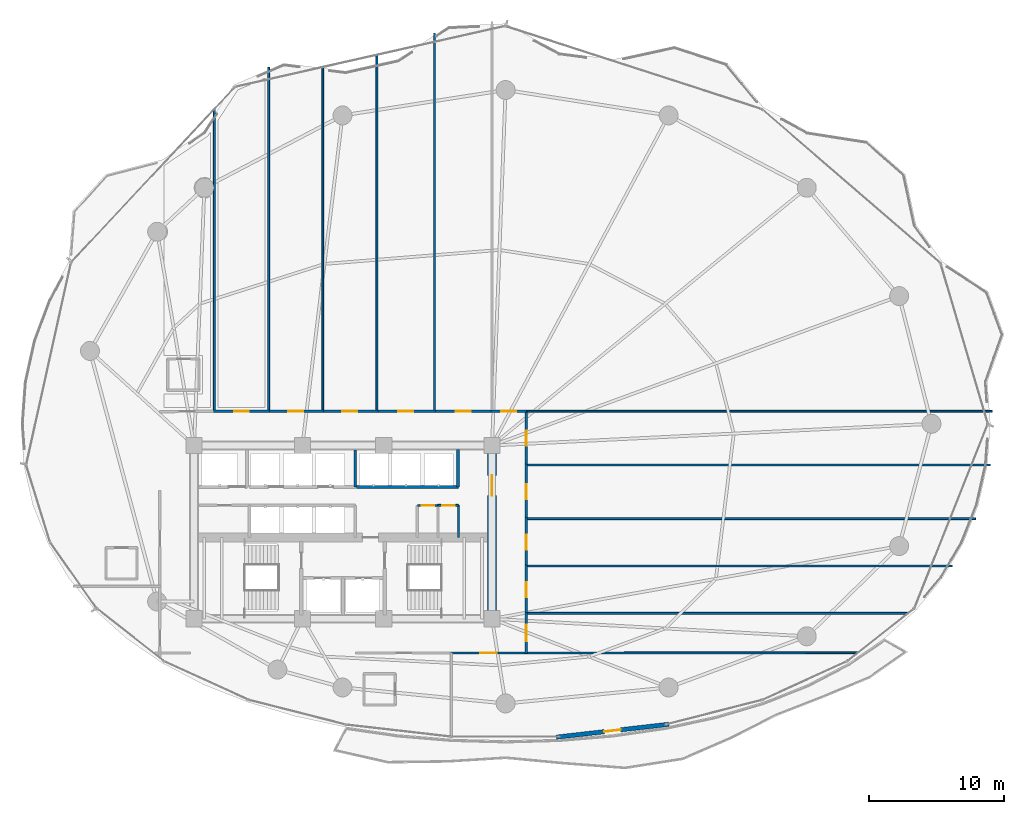
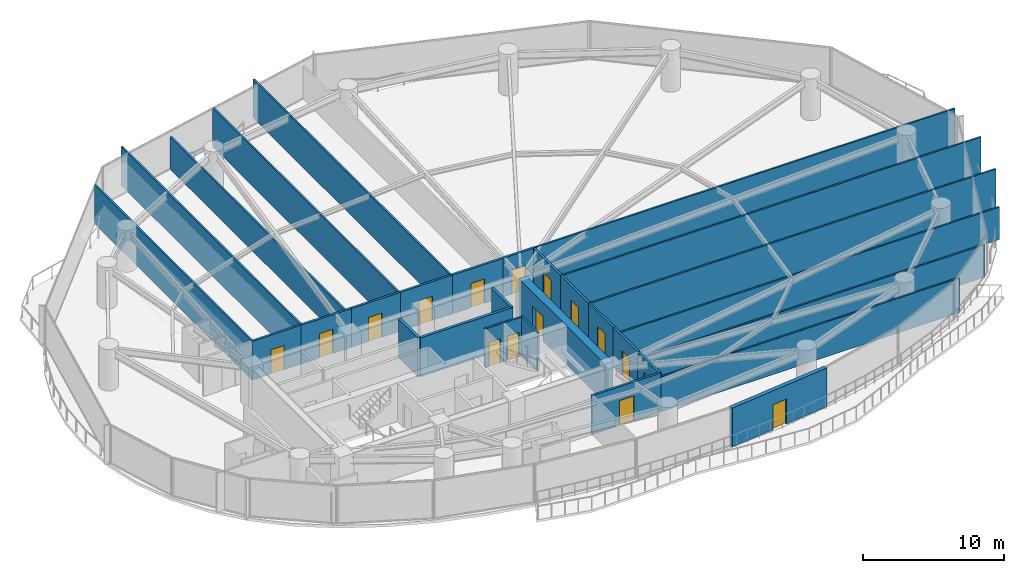
# One storey, part 27 of 33: 31 walls, 16 doors, 16 openings.
"""IFC4 building model written with IfcOpenShell, lengths in metres."""

import ifcopenshell
import ifcopenshell.guid

model = None  # the IFC model being written
_history = None  # IfcOwnerHistory: only IFC2X3 demands one
_inside = {}  # id of a spatial element -> (the spatial element, [elements in it])
_under = {}  # id of a project, library or spatial element -> (it, [spatial elements below it])
_declared = {}  # id of a project -> (the project, [libraries it declares])
_typed = {}  # id of a type object -> (the type object, [elements of that type])
_made_of = {}  # id of a material, layer set ... -> (it, [elements and type objects made of it])


def new_model(schema):
    """Start an empty IFC model of exactly this schema.

    Asked for "IFC4X3", IfcOpenShell would pick the latest addendum, in which some entities
    have other attributes; the version numbers below select the first issue.
    IFC2X3 requires an IfcOwnerHistory on every rooted entity: one is made here for all.
    """
    global model, _history
    if schema == "IFC4X3":
        model = ifcopenshell.file(schema_version=(4, 3, 0, 0))
    else:
        model = ifcopenshell.file(schema=schema)
    _inside.clear()
    _under.clear()
    _declared.clear()
    _typed.clear()
    _made_of.clear()
    _history = None
    if model.schema == "IFC2X3":
        org = make("IfcOrganization", Name="unknown")
        user = make(
            "IfcPersonAndOrganization",
            ThePerson=make("IfcPerson", FamilyName="unknown"),
            TheOrganization=org,
        )
        app = make(
            "IfcApplication",
            ApplicationDeveloper=org,
            Version="unknown",
            ApplicationFullName="unknown",
            ApplicationIdentifier="unknown",
        )
        _history = make(
            "IfcOwnerHistory",
            OwningUser=user,
            OwningApplication=app,
            ChangeAction="ADDED",
            CreationDate=0,
        )
    return model


def make(cls, **values):
    """One entity of the class cls with the attributes given. An attribute that is None is left unset."""
    return model.create_entity(
        cls, **{name: value for name, value in values.items() if value is not None}
    )


def rooted(cls, **values):
    """An entity with a GlobalId (a new one), such as an element, a storey or a relation."""
    return make(cls, GlobalId=ifcopenshell.guid.new(), OwnerHistory=_history, **values)


def si_unit(unit_type, name, prefix=None):
    """IfcSIUnit, for example si_unit("LENGTHUNIT", "METRE", prefix="MILLI")."""
    return make("IfcSIUnit", UnitType=unit_type, Prefix=prefix, Name=name)


def assignment(units):
    """IfcUnitAssignment: the units of a project."""
    return None if units is None else make("IfcUnitAssignment", Units=units)


def point(xyz):
    """IfcCartesianPoint."""
    return None if xyz is None else make("IfcCartesianPoint", Coordinates=xyz)


def direction(xyz):
    """IfcDirection."""
    return None if xyz is None else make("IfcDirection", DirectionRatios=xyz)


def frame(location, z_axis=None, x_axis=None):
    """IfcAxis2Placement3D, a coordinate frame: its origin and axes. An axis left out is left unset."""
    return make(
        "IfcAxis2Placement3D",
        Location=point(location),
        Axis=direction(z_axis),
        RefDirection=direction(x_axis),
    )


def frame_2d(location, x_axis=None):
    """IfcAxis2Placement2D, a coordinate frame in the plane: its origin and x axis."""
    return make(
        "IfcAxis2Placement2D", Location=point(location), RefDirection=direction(x_axis)
    )


def origin():
    """The frame at (0, 0, 0) with its axes left unset."""
    return frame((0.0, 0.0, 0.0))


def place(relative_to, where):
    """IfcLocalPlacement: puts the frame where relative to a parent placement (None: the world)."""
    return make(
        "IfcLocalPlacement", PlacementRelTo=relative_to, RelativePlacement=where
    )


def context(
    kind, dimensions, precision=None, world=None, true_north=None, identifier=None
):
    """IfcGeometricRepresentationContext, for example the 3D "Model" context."""
    return make(
        "IfcGeometricRepresentationContext",
        ContextIdentifier=identifier,
        ContextType=kind,
        CoordinateSpaceDimension=dimensions,
        Precision=precision,
        WorldCoordinateSystem=world,
        TrueNorth=true_north,
    )


def subcontext(parent, identifier, kind, view, scale=None):
    """IfcGeometricRepresentationSubContext, for example "Body" below "Model"."""
    return make(
        "IfcGeometricRepresentationSubContext",
        ContextIdentifier=identifier,
        ContextType=kind,
        ParentContext=parent,
        TargetScale=scale,
        TargetView=view,
    )


def project(units=None, contexts=None):
    """IfcProject with its units and contexts."""
    return rooted(
        "IfcProject",
        Name="project",
        RepresentationContexts=contexts,
        UnitsInContext=assignment(units),
    )


def spatial(cls, under=None, at=None, **own):
    """A site, building, storey or space (cls), placed at a placement, below another one or the project."""
    s = rooted(cls, ObjectPlacement=at, **own)
    if under is not None:
        _under.setdefault(under.id(), (under, []))[1].append(s)
    return s


def profile(cls, at=None, kind="AREA", **sizes):
    """A parametric profile (cls). Its sizes go by their IFC names, for example OverallWidth=200.0."""
    return make(cls, ProfileType=kind, Position=at, **sizes)


def rectangle(**sizes):
    """IfcRectangleProfileDef."""
    return profile("IfcRectangleProfileDef", **sizes)


def extrude(swept, where, along, depth):
    """IfcExtrudedAreaSolid: the profile swept, set in the frame where, extruded along a direction by depth."""
    return make(
        "IfcExtrudedAreaSolid",
        SweptArea=swept,
        Position=where,
        ExtrudedDirection=direction(along),
        Depth=depth,
    )


def shape(context_of_items, identifier, shape_type, items):
    """IfcShapeRepresentation: the items that make up one representation, for example the "Body"."""
    return make(
        "IfcShapeRepresentation",
        ContextOfItems=context_of_items,
        RepresentationIdentifier=identifier,
        RepresentationType=shape_type,
        Items=items,
    )


def material(Name=None, Category=None):
    """IfcMaterial."""
    return make("IfcMaterial", Name=Name, Category=Category)


def layer(
    of_material, thickness, ventilated=None, Name=None, Category=None, Priority=None
):
    """IfcMaterialLayer: one layer of a wall or slab, of a material (None: an air gap)."""
    return make(
        "IfcMaterialLayer",
        Material=of_material,
        LayerThickness=thickness,
        IsVentilated=ventilated,
        Name=Name,
        Category=Category,
        Priority=Priority,
    )


def layer_set(layers, Name=None):
    """IfcMaterialLayerSet."""
    return make("IfcMaterialLayerSet", MaterialLayers=layers, LayerSetName=Name)


def made_of(thing, what):
    """Note that an element or type object is made of a material, layer set ...; save() writes the relation."""
    if what is not None:
        _made_of.setdefault(what.id(), (what, []))[1].append(thing)
    return thing


def type_object(cls, material=None, **own):
    """A type object (cls), such as IfcWallType, which elements share."""
    return made_of(rooted(cls, **own), material)


def element(
    cls,
    number,
    at=None,
    inside=None,
    cuts=None,
    type_object=None,
    material=None,
    context=None,
    identifier="Body",
    shape_type=None,
    held_by="IfcProductDefinitionShape",
    body=None,
    shapes=None,
    **own,
):
    """One element of the class cls, such as IfcWall. Its Tag is "e" and its number.

    at: its placement. inside: the storey or other place that contains it. cuts: it is an
    opening in that element (IfcRelVoidsElement). A single representation is given by context,
    identifier, shape_type and body (its items); several are given by shapes. held_by: the class
    of the entity that holds the representations. save() writes the other relations.
    """
    e = rooted(cls, Tag="e%d" % number, ObjectPlacement=at, **own)
    if body is not None:
        shapes = [shape(context, identifier, shape_type, body)]
    if shapes is not None:
        e.Representation = make(held_by, Representations=shapes)
    if inside is not None:
        _inside.setdefault(inside.id(), (inside, []))[1].append(e)
    if cuts is not None:
        rooted(
            "IfcRelVoidsElement", RelatingBuildingElement=cuts, RelatedOpeningElement=e
        )
    if type_object is not None:
        _typed.setdefault(type_object.id(), (type_object, []))[1].append(e)
    return made_of(e, material)


def fill(opening, filler):
    """IfcRelFillsElement: the door or window that sits in an opening."""
    return rooted(
        "IfcRelFillsElement",
        RelatingOpeningElement=opening,
        RelatedBuildingElement=filler,
    )


def aggregate(whole, parts):
    """IfcRelAggregates: a whole, such as a stair, and the parts it consists of."""
    return rooted("IfcRelAggregates", RelatingObject=whole, RelatedObjects=parts)


def save(model, path):
    """Write the relations noted so far, then the file.

    IfcRelAggregates (storeys below a building ...), IfcRelContainedInSpatialStructure (elements
    in a storey), IfcRelDefinesByType, IfcRelAssociatesMaterial and IfcRelDeclares: one each for
    every whole, place, type object, material and project.
    """
    for whole, parts in _under.values():
        aggregate(whole, parts)
    for where, things in _inside.values():
        rooted(
            "IfcRelContainedInSpatialStructure",
            RelatedElements=things,
            RelatingStructure=where,
        )
    for kind, things in _typed.values():
        rooted("IfcRelDefinesByType", RelatedObjects=things, RelatingType=kind)
    for what, things in _made_of.values():
        rooted("IfcRelAssociatesMaterial", RelatedObjects=things, RelatingMaterial=what)
    for by, libraries in _declared.values():
        rooted("IfcRelDeclares", RelatingContext=by, RelatedDefinitions=libraries)
    model.write(path)


model = new_model("IFC4")

# Units and contexts
model_context = context("Model", 3, precision=1e-05, world=origin(), true_north=direction((0.0, 1.0)))
body_context = subcontext(model_context, "Body", "Model", "MODEL_VIEW")
ifc_project = project(units=[si_unit("LENGTHUNIT", "METRE"), si_unit("AREAUNIT", "SQUARE_METRE"), si_unit("VOLUMEUNIT", "CUBIC_METRE"), si_unit("PLANEANGLEUNIT", "RADIAN"), si_unit("MASSUNIT", "GRAM", prefix="KILO")], contexts=[model_context])

# Site, building, storey
site_placement = place(None, origin())
site = spatial("IfcSite", under=ifc_project, at=site_placement, CompositionType="ELEMENT")
building_placement = place(site_placement, origin())
building = spatial("IfcBuilding", under=site, at=building_placement, Name="Kazevale Care Tower and Concert Hall", CompositionType="ELEMENT")
storey_placement = place(building_placement, frame((0.0, 0.0, 27.60009765625)))
storey = spatial("IfcBuildingStorey", under=building, at=storey_placement, Name="L06", CompositionType="ELEMENT", Elevation=27.60009765625)

# Wall
ifc_material_1 = material(Name="Acoustic Gypsum on Steel Stud", Category="steel")
ifc_layer_1 = layer(ifc_material_1, 0.139892578125)
ifc_layer_set_1 = layer_set([ifc_layer_1], Name="Acoustic Gypsum on Steel Stud")
wall_type_1 = type_object("IfcWallType", Name="Acoustic Care & Suite Partition 140", PredefinedType="PARTITIONING", material=ifc_layer_set_1)
wall_1_placement = place(storey_placement, frame((41.52001953125, 29.6201171875, 0.0), z_axis=(0.0, 0.0, 1.0), x_axis=(0.0, 1.0, 0.0)))
element("IfcWall", 1, at=wall_1_placement, inside=storey, type_object=wall_type_1, Name="wall:L06:ka_ee", PredefinedType="PARTITIONING", context=body_context, shape_type="SweptSolid", body=[
    extrude(rectangle(XDim=2.35986328125, YDim=0.139892578125, at=frame_2d((1.179931640625, 0.0))), origin(), (0.0, 0.0, 1.0), 3.35986328125),
])

# Wall, opening, door
wall_2_placement = place(storey_placement, frame((40.0, 31.97998046875, 0.0), z_axis=(0.0, 0.0, 1.0), x_axis=(1.0, 0.0, 0.0)))
wall_2 = element("IfcWall", 2, at=wall_2_placement, inside=storey, type_object=wall_type_1, Name="wall:L06:ka_en2", PredefinedType="PARTITIONING", context=body_context, shape_type="SweptSolid", body=[
    extrude(rectangle(XDim=1.52001953125, YDim=0.139892578125, at=frame_2d((0.760009765625, 0.0))), origin(), (0.0, 0.0, 1.0), 3.35986328125),
])
opening_1_placement = place(wall_2_placement, frame((0.320068359375, 0.0, 0.0)))
opening_1 = element("IfcOpeningElement", 3, at=opening_1_placement, cuts=wall_2, Name="Opening ID-900", PredefinedType="OPENING", context=body_context, shape_type="SweptSolid", body=[
    extrude(rectangle(XDim=0.919921875, YDim=2.10009765625, at=frame_2d((0.4599609375, 1.050048828125))), frame((0.0, 0.079833984375, 0.0), z_axis=(0.0, -1.0, 0.0), x_axis=(1.0, 0.0, 0.0)), (0.0, 0.0, 1.0), 0.159912109375),
])
ifc_material_2 = material(Name="Oak Timber Fire Leaf", Category="wood")
door_type_1 = type_object("IfcDoorType", Name="Bathroom & Service Door 920x2100", OperationType="NOTDEFINED", PredefinedType="DOOR", material=ifc_material_2)
door_1_placement = place(opening_1_placement, origin())
door_1 = element("IfcDoor", 4, at=door_1_placement, inside=storey, type_object=door_type_1, Name="door:L06:d_kae2", OperationType="SINGLE_SWING_RIGHT", OverallHeight=2.10009765625, OverallWidth=0.919921875, PredefinedType="DOOR", context=body_context, shape_type="SweptSolid", body=[
    extrude(rectangle(XDim=0.919921875, YDim=2.10009765625, at=frame_2d((0.4599609375, 1.050048828125))), frame((0.0, 0.02490234375, 0.0), z_axis=(0.0, -1.0, 0.0), x_axis=(1.0, 0.0, 0.0)), (0.0, 0.0, 1.0), 0.050048828125),
])
fill(opening_1, door_1)

# Walls
wall_3_placement = place(storey_placement, frame((23.5, 61.2236328125, 0.0), z_axis=(0.0, 0.0, 1.0), x_axis=(0.0, -1.0, 0.0)))
element("IfcWall", 5, at=wall_3_placement, inside=storey, type_object=wall_type_1, Name="wall:L06:auto_018", PredefinedType="PARTITIONING", context=body_context, shape_type="SweptSolid", body=[
    extrude(rectangle(XDim=22.32861328125, YDim=0.139892578125, at=frame_2d((11.164306640625, 0.0))), origin(), (0.0, 0.0, 1.0), 3.35986328125),
])
wall_4_placement = place(storey_placement, frame((27.5, 64.322998046875, 0.0), z_axis=(0.0, 0.0, 1.0), x_axis=(0.0, -1.0, 0.0)))
element("IfcWall", 6, at=wall_4_placement, inside=storey, type_object=wall_type_1, Name="wall:L06:auto_019", PredefinedType="PARTITIONING", context=body_context, shape_type="SweptSolid", body=[
    extrude(rectangle(XDim=25.427978515625, YDim=0.139892578125, at=frame_2d((12.7138671875, 0.0))), origin(), (0.0, 0.0, 1.0), 3.35986328125),
])
wall_5_placement = place(storey_placement, frame((31.5, 64.323974609375, 0.0), z_axis=(0.0, 0.0, 1.0), x_axis=(0.0, -1.0, 0.0)))
element("IfcWall", 7, at=wall_5_placement, inside=storey, type_object=wall_type_1, Name="wall:L06:auto_020", PredefinedType="PARTITIONING", context=body_context, shape_type="SweptSolid", body=[
    extrude(rectangle(XDim=25.428955078125, YDim=0.139892578125, at=frame_2d((12.71435546875, 0.0))), origin(), (0.0, 0.0, 1.0), 2.805908203125),
])
wall_6_placement = place(storey_placement, frame((35.5, 65.2255859375, 0.0), z_axis=(0.0, 0.0, 1.0), x_axis=(0.0, -1.0, 0.0)))
element("IfcWall", 8, at=wall_6_placement, inside=storey, type_object=wall_type_1, Name="wall:L06:auto_021", PredefinedType="PARTITIONING", context=body_context, shape_type="SweptSolid", body=[
    extrude(rectangle(XDim=26.33056640625, YDim=0.139892578125, at=frame_2d((13.165283203125, 0.0))), origin(), (0.0, 0.0, 1.0), 3.35986328125),
])
wall_7_placement = place(storey_placement, frame((39.75, 66.85693359375, 0.0), z_axis=(0.0, 0.0, 1.0), x_axis=(0.0, -1.0, 0.0)))
element("IfcWall", 9, at=wall_7_placement, inside=storey, type_object=wall_type_1, Name="wall:L06:auto_022", PredefinedType="PARTITIONING", context=body_context, shape_type="SweptSolid", body=[
    extrude(rectangle(XDim=27.9619140625, YDim=0.139892578125, at=frame_2d((13.98095703125, 0.0))), origin(), (0.0, 0.0, 1.0), 3.35986328125),
])
wall_8_placement = place(storey_placement, frame((80.931884765625, 38.925048828125, 0.0), z_axis=(0.0, 0.0, 1.0), x_axis=(-1.0, 0.0, 0.0)))
element("IfcWall", 10, at=wall_8_placement, inside=storey, type_object=wall_type_1, Name="wall:L06:auto_024", PredefinedType="PARTITIONING", context=body_context, shape_type="SweptSolid", body=[
    extrude(rectangle(XDim=34.471923828125, YDim=0.139892578125, at=frame_2d((17.23583984375, 0.0))), origin(), (0.0, 0.0, 1.0), 3.35986328125),
])
wall_9_placement = place(storey_placement, frame((46.4951171875, 24.0, 0.0), z_axis=(0.0, 0.0, 1.0), x_axis=(1.0, 0.0, 0.0)))
element("IfcWall", 11, at=wall_9_placement, inside=storey, type_object=wall_type_1, Name="wall:L06:auto_025", PredefinedType="PARTITIONING", context=body_context, shape_type="SweptSolid", body=[
    extrude(rectangle(XDim=28.213623046875, YDim=0.139892578125, at=frame_2d((14.10693359375, 0.0))), origin(), (0.0, 0.0, 1.0), 2.805908203125),
])
wall_10_placement = place(storey_placement, frame((71.0107421875, 21.094482421875, 0.0), z_axis=(0.0, 0.0, 1.0), x_axis=(-0.999999682646, -0.000796685534, 0.0)))
element("IfcWall", 12, at=wall_10_placement, inside=storey, type_object=wall_type_1, Name="wall:L06:auto_026", PredefinedType="PARTITIONING", context=body_context, shape_type="SweptSolid", body=[
    extrude(rectangle(XDim=24.515625, YDim=0.139892578125, at=frame_2d((12.2578125, 0.0))), origin(), (0.0, 0.0, 1.0), 2.995849609375),
])
wall_11_placement = place(storey_placement, frame((46.4951171875, 27.5, 0.0), z_axis=(0.0, 0.0, 1.0), x_axis=(1.0, 0.0, 0.0)))
element("IfcWall", 13, at=wall_11_placement, inside=storey, type_object=wall_type_1, Name="wall:L06:auto_027", PredefinedType="PARTITIONING", context=body_context, shape_type="SweptSolid", body=[
    extrude(rectangle(XDim=31.469970703125, YDim=0.139892578125, at=frame_2d((15.73486328125, 0.0))), origin(), (0.0, 0.0, 1.0), 2.805908203125),
])
wall_12_placement = place(storey_placement, frame((46.4951171875, 31.0, 0.0), z_axis=(0.0, 0.0, 1.0), x_axis=(1.0, 0.0, 0.0)))
element("IfcWall", 14, at=wall_12_placement, inside=storey, type_object=wall_type_1, Name="wall:L06:auto_028", PredefinedType="PARTITIONING", context=body_context, shape_type="SweptSolid", body=[
    extrude(rectangle(XDim=33.206787109375, YDim=0.139892578125, at=frame_2d((16.603515625, 0.0))), origin(), (0.0, 0.0, 1.0), 3.35986328125),
])
wall_13_placement = place(storey_placement, frame((46.4951171875, 34.9599609375, 0.0), z_axis=(0.0, 0.0, 1.0), x_axis=(1.0, 0.0, 0.0)))
element("IfcWall", 15, at=wall_13_placement, inside=storey, type_object=wall_type_1, Name="wall:L06:auto_029", PredefinedType="PARTITIONING", context=body_context, shape_type="SweptSolid", body=[
    extrude(rectangle(XDim=34.28076171875, YDim=0.139892578125, at=frame_2d((17.140380859375, 0.0))), origin(), (0.0, 0.0, 1.0), 3.35986328125),
])

# Wall, opening, door
ifc_material_3 = material(Name="Concrete C70", Category="concrete")
ifc_layer_2 = layer(ifc_material_3, 0.64990234375)
ifc_layer_set_2 = layer_set([ifc_layer_2], Name="Concrete C70")
wall_type_2 = type_object("IfcWallType", Name="Core Shear Wall 650 C70", PredefinedType="SHEAR", material=ifc_layer_set_2)
wall_14_placement = place(storey_placement, frame((44.0, 23.925048828125, 0.0), z_axis=(0.0, 0.0, 1.0), x_axis=(0.0, 1.0, 0.0)))
wall_14 = element("IfcWall", 16, at=wall_14_placement, inside=storey, type_object=wall_type_2, Name="wall:L06:core:E", PredefinedType="SHEAR", context=body_context, shape_type="SweptSolid", body=[
    extrude(rectangle(XDim=12.14990234375, YDim=0.64990234375, at=frame_2d((6.074951171875, 0.0))), origin(), (0.0, 0.0, 1.0), 3.35986328125),
])
opening_2_placement = place(wall_14_placement, frame((8.77490234375, 0.0, 0.0)))
opening_2 = element("IfcOpeningElement", 17, at=opening_2_placement, cuts=wall_14, Name="Opening FD-60D", PredefinedType="OPENING", context=body_context, shape_type="SweptSolid", body=[
    extrude(rectangle(XDim=1.5, YDim=2.14990234375, at=frame_2d((0.75, 1.074951171875))), frame((0.0, 0.3349609375, 0.0), z_axis=(0.0, -1.0, 0.0), x_axis=(1.0, 0.0, 0.0)), (0.0, 0.0, 1.0), 0.669921875),
])
door_type_2 = type_object("IfcDoorType", Name="Double Lobby & Auditorium Fire Door 1500x2150", OperationType="NOTDEFINED", PredefinedType="DOOR", material=ifc_material_2)
door_2_placement = place(opening_2_placement, origin())
door_2 = element("IfcDoor", 18, at=door_2_placement, inside=storey, type_object=door_type_2, Name="door:L06:core_east_out", OperationType="DOUBLE_DOOR_SINGLE_SWING", OverallHeight=2.14990234375, OverallWidth=1.5, PredefinedType="DOOR", context=body_context, shape_type="SweptSolid", body=[
    extrude(rectangle(XDim=1.5, YDim=2.14990234375, at=frame_2d((0.75, 1.074951171875))), frame((0.0, 0.02490234375, 0.0), z_axis=(0.0, -1.0, 0.0), x_axis=(1.0, 0.0, 0.0)), (0.0, 0.0, 1.0), 0.050048828125),
])
fill(opening_2, door_2)

# Walls
ifc_material_4 = material(Name="Concrete C40", Category="concrete")
ifc_layer_3 = layer(ifc_material_4, 0.219970703125)
ifc_layer_set_3 = layer_set([ifc_layer_3], Name="Concrete C40")
wall_type_3 = type_object("IfcWallType", Name="Elevator Hoistway Shaft Wall 220", PredefinedType="SOLIDWALL", material=ifc_layer_set_3)
wall_15_placement = place(storey_placement, frame((33.89990234375, 33.35009765625, 0.0), z_axis=(0.0, 0.0, 1.0), x_axis=(0.0, 1.0, 0.0)))
element("IfcWall", 19, at=wall_15_placement, inside=storey, type_object=wall_type_3, Name="wall:L06:c_pl_e", PredefinedType="SOLIDWALL", context=body_context, shape_type="SweptSolid", body=[
    extrude(rectangle(XDim=2.72998046875, YDim=0.219970703125, at=frame_2d((1.364990234375, 0.0))), origin(), (0.0, 0.0, 1.0), 3.35986328125),
])
wall_16_placement = place(storey_placement, frame((33.97998046875, 33.35009765625, 0.0), z_axis=(0.0, 0.0, 1.0), x_axis=(1.0, 0.0, 0.0)))
element("IfcWall", 20, at=wall_16_placement, inside=storey, type_object=wall_type_3, Name="wall:L06:c_pm_s", PredefinedType="SOLIDWALL", context=body_context, shape_type="SweptSolid", body=[
    extrude(rectangle(XDim=7.5400390625, YDim=0.219970703125, at=frame_2d((3.77001953125, 0.0))), origin(), (0.0, 0.0, 1.0), 3.35986328125),
])
wall_17_placement = place(storey_placement, frame((41.5, 33.35009765625, 0.0), z_axis=(0.0, 0.0, 1.0), x_axis=(0.0, 1.0, 0.0)))
element("IfcWall", 21, at=wall_17_placement, inside=storey, type_object=wall_type_3, Name="wall:L06:c_pm_e", PredefinedType="SOLIDWALL", context=body_context, shape_type="SweptSolid", body=[
    extrude(rectangle(XDim=2.75, YDim=0.219970703125, at=frame_2d((1.375, 0.0))), origin(), (0.0, 0.0, 1.0), 3.35986328125),
])

# Wall, opening, door
ifc_material_5 = material(Name="Concrete C40 and Acoustic Gypsum", Category="concrete")
ifc_layer_4 = layer(ifc_material_5, 0.179931640625)
ifc_layer_set_4 = layer_set([ifc_layer_4], Name="Concrete C40 and Acoustic Gypsum")
wall_type_4 = type_object("IfcWallType", Name="Fire-Rated Corridor & Party Wall 180", PredefinedType="PARTITIONING", material=ifc_layer_set_4)
wall_18_placement = place(storey_placement, frame((23.43505859375, 38.925048828125, 0.0), z_axis=(0.0, 0.0, 1.0), x_axis=(1.0, 0.0, 0.0)))
wall_18 = element("IfcWall", 22, at=wall_18_placement, inside=storey, type_object=wall_type_4, Name="wall:L06:auto_002", PredefinedType="PARTITIONING", context=body_context, shape_type="SweptSolid", body=[
    extrude(rectangle(XDim=4.1298828125, YDim=0.179931640625, at=frame_2d((2.06494140625, 0.0))), origin(), (0.0, 0.0, 1.0), 3.35986328125),
])
opening_3_placement = place(wall_18_placement, frame((1.514892578125, 0.0, 0.0)))
opening_3 = element("IfcOpeningElement", 23, at=opening_3_placement, cuts=wall_18, Name="Opening ID-1100", PredefinedType="OPENING", context=body_context, shape_type="SweptSolid", body=[
    extrude(rectangle(XDim=1.10009765625, YDim=2.10009765625, at=frame_2d((0.550048828125, 1.050048828125))), frame((0.0, 0.099853515625, 0.0), z_axis=(0.0, -1.0, 0.0), x_axis=(1.0, 0.0, 0.0)), (0.0, 0.0, 1.0), 0.199951171875),
])
door_type_3 = type_object("IfcDoorType", Name="Care Bedroom Accessible Door 1100x2100", OperationType="NOTDEFINED", PredefinedType="DOOR", material=ifc_material_2)
door_3_placement = place(opening_3_placement, origin())
door_3 = element("IfcDoor", 24, at=door_3_placement, inside=storey, type_object=door_type_3, Name="door:L06:ad_002", OperationType="SINGLE_SWING_LEFT", OverallHeight=2.10009765625, OverallWidth=1.10009765625, PredefinedType="DOOR", context=body_context, shape_type="SweptSolid", body=[
    extrude(rectangle(XDim=1.10009765625, YDim=2.10009765625, at=frame_2d((0.550048828125, 1.050048828125))), frame((0.0, 0.02490234375, 0.0), z_axis=(0.0, -1.0, 0.0), x_axis=(1.0, 0.0, 0.0)), (0.0, 0.0, 1.0), 0.050048828125),
])
fill(opening_3, door_3)

wall_19_placement = place(storey_placement, frame((27.43505859375, 38.925048828125, 0.0), z_axis=(0.0, 0.0, 1.0), x_axis=(1.0, 0.0, 0.0)))
wall_19 = element("IfcWall", 25, at=wall_19_placement, inside=storey, type_object=wall_type_4, Name="wall:L06:auto_003", PredefinedType="PARTITIONING", context=body_context, shape_type="SweptSolid", body=[
    extrude(rectangle(XDim=4.1298828125, YDim=0.179931640625, at=frame_2d((2.06494140625, 0.0))), origin(), (0.0, 0.0, 1.0), 3.35986328125),
])
opening_4_placement = place(wall_19_placement, frame((1.514892578125, 0.0, 0.0)))
opening_4 = element("IfcOpeningElement", 26, at=opening_4_placement, cuts=wall_19, Name="Opening ID-1100", PredefinedType="OPENING", context=body_context, shape_type="SweptSolid", body=[
    extrude(rectangle(XDim=1.10009765625, YDim=2.10009765625, at=frame_2d((0.550048828125, 1.050048828125))), frame((0.0, 0.099853515625, 0.0), z_axis=(0.0, -1.0, 0.0), x_axis=(1.0, 0.0, 0.0)), (0.0, 0.0, 1.0), 0.199951171875),
])
door_4_placement = place(opening_4_placement, origin())
door_4 = element("IfcDoor", 27, at=door_4_placement, inside=storey, type_object=door_type_3, Name="door:L06:ad_003", OperationType="SINGLE_SWING_LEFT", OverallHeight=2.10009765625, OverallWidth=1.10009765625, PredefinedType="DOOR", context=body_context, shape_type="SweptSolid", body=[
    extrude(rectangle(XDim=1.10009765625, YDim=2.10009765625, at=frame_2d((0.550048828125, 1.050048828125))), frame((0.0, 0.02490234375, 0.0), z_axis=(0.0, -1.0, 0.0), x_axis=(1.0, 0.0, 0.0)), (0.0, 0.0, 1.0), 0.050048828125),
])
fill(opening_4, door_4)

wall_20_placement = place(storey_placement, frame((31.43505859375, 38.925048828125, 0.0), z_axis=(0.0, 0.0, 1.0), x_axis=(1.0, 0.0, 0.0)))
wall_20 = element("IfcWall", 28, at=wall_20_placement, inside=storey, type_object=wall_type_4, Name="wall:L06:auto_004", PredefinedType="PARTITIONING", context=body_context, shape_type="SweptSolid", body=[
    extrude(rectangle(XDim=4.1298828125, YDim=0.179931640625, at=frame_2d((2.06494140625, 0.0))), origin(), (0.0, 0.0, 1.0), 3.35986328125),
])
opening_5_placement = place(wall_20_placement, frame((1.514892578125, 0.0, 0.0)))
opening_5 = element("IfcOpeningElement", 29, at=opening_5_placement, cuts=wall_20, Name="Opening ID-1100", PredefinedType="OPENING", context=body_context, shape_type="SweptSolid", body=[
    extrude(rectangle(XDim=1.10009765625, YDim=2.10009765625, at=frame_2d((0.550048828125, 1.050048828125))), frame((0.0, 0.099853515625, 0.0), z_axis=(0.0, -1.0, 0.0), x_axis=(1.0, 0.0, 0.0)), (0.0, 0.0, 1.0), 0.199951171875),
])
door_5_placement = place(opening_5_placement, origin())
door_5 = element("IfcDoor", 30, at=door_5_placement, inside=storey, type_object=door_type_3, Name="door:L06:ad_004", OperationType="SINGLE_SWING_LEFT", OverallHeight=2.10009765625, OverallWidth=1.10009765625, PredefinedType="DOOR", context=body_context, shape_type="SweptSolid", body=[
    extrude(rectangle(XDim=1.10009765625, YDim=2.10009765625, at=frame_2d((0.550048828125, 1.050048828125))), frame((0.0, 0.02490234375, 0.0), z_axis=(0.0, -1.0, 0.0), x_axis=(1.0, 0.0, 0.0)), (0.0, 0.0, 1.0), 0.050048828125),
])
fill(opening_5, door_5)

wall_21_placement = place(storey_placement, frame((35.43505859375, 38.925048828125, 0.0), z_axis=(0.0, 0.0, 1.0), x_axis=(1.0, 0.0, 0.0)))
wall_21 = element("IfcWall", 31, at=wall_21_placement, inside=storey, type_object=wall_type_4, Name="wall:L06:auto_005", PredefinedType="PARTITIONING", context=body_context, shape_type="SweptSolid", body=[
    extrude(rectangle(XDim=4.3798828125, YDim=0.179931640625, at=frame_2d((2.18994140625, 0.0))), origin(), (0.0, 0.0, 1.0), 3.35986328125),
])
opening_6_placement = place(wall_21_placement, frame((1.639892578125, 0.0, 0.0)))
opening_6 = element("IfcOpeningElement", 32, at=opening_6_placement, cuts=wall_21, Name="Opening ID-1100", PredefinedType="OPENING", context=body_context, shape_type="SweptSolid", body=[
    extrude(rectangle(XDim=1.10009765625, YDim=2.10009765625, at=frame_2d((0.550048828125, 1.050048828125))), frame((0.0, 0.099853515625, 0.0), z_axis=(0.0, -1.0, 0.0), x_axis=(1.0, 0.0, 0.0)), (0.0, 0.0, 1.0), 0.199951171875),
])
door_6_placement = place(opening_6_placement, origin())
door_6 = element("IfcDoor", 33, at=door_6_placement, inside=storey, type_object=door_type_3, Name="door:L06:ad_005", OperationType="SINGLE_SWING_LEFT", OverallHeight=2.10009765625, OverallWidth=1.10009765625, PredefinedType="DOOR", context=body_context, shape_type="SweptSolid", body=[
    extrude(rectangle(XDim=1.10009765625, YDim=2.10009765625, at=frame_2d((0.550048828125, 1.050048828125))), frame((0.0, 0.02490234375, 0.0), z_axis=(0.0, -1.0, 0.0), x_axis=(1.0, 0.0, 0.0)), (0.0, 0.0, 1.0), 0.050048828125),
])
fill(opening_6, door_6)

wall_22_placement = place(storey_placement, frame((39.68505859375, 38.925048828125, 0.0), z_axis=(0.0, 0.0, 1.0), x_axis=(1.0, 0.0, 0.0)))
wall_22 = element("IfcWall", 34, at=wall_22_placement, inside=storey, type_object=wall_type_4, Name="wall:L06:auto_006", PredefinedType="PARTITIONING", context=body_context, shape_type="SweptSolid", body=[
    extrude(rectangle(XDim=4.3798828125, YDim=0.179931640625, at=frame_2d((2.18994140625, 0.0))), origin(), (0.0, 0.0, 1.0), 3.35986328125),
])
opening_7_placement = place(wall_22_placement, frame((1.639892578125, 0.0, 0.0)))
opening_7 = element("IfcOpeningElement", 35, at=opening_7_placement, cuts=wall_22, Name="Opening ID-1100", PredefinedType="OPENING", context=body_context, shape_type="SweptSolid", body=[
    extrude(rectangle(XDim=1.10009765625, YDim=2.10009765625, at=frame_2d((0.550048828125, 1.050048828125))), frame((0.0, 0.099853515625, 0.0), z_axis=(0.0, -1.0, 0.0), x_axis=(1.0, 0.0, 0.0)), (0.0, 0.0, 1.0), 0.199951171875),
])
door_7_placement = place(opening_7_placement, origin())
door_7 = element("IfcDoor", 36, at=door_7_placement, inside=storey, type_object=door_type_3, Name="door:L06:ad_006", OperationType="SINGLE_SWING_LEFT", OverallHeight=2.10009765625, OverallWidth=1.10009765625, PredefinedType="DOOR", context=body_context, shape_type="SweptSolid", body=[
    extrude(rectangle(XDim=1.10009765625, YDim=2.10009765625, at=frame_2d((0.550048828125, 1.050048828125))), frame((0.0, 0.02490234375, 0.0), z_axis=(0.0, -1.0, 0.0), x_axis=(1.0, 0.0, 0.0)), (0.0, 0.0, 1.0), 0.050048828125),
])
fill(opening_7, door_7)

wall_23_placement = place(storey_placement, frame((43.93505859375, 38.925048828125, 0.0), z_axis=(0.0, 0.0, 1.0), x_axis=(1.0, 0.0, 0.0)))
wall_23 = element("IfcWall", 37, at=wall_23_placement, inside=storey, type_object=wall_type_4, Name="wall:L06:auto_007", PredefinedType="PARTITIONING", context=body_context, shape_type="SweptSolid", body=[
    extrude(rectangle(XDim=2.619873046875, YDim=0.179931640625, at=frame_2d((1.31005859375, 0.0))), origin(), (0.0, 0.0, 1.0), 3.35986328125),
])
opening_8_placement = place(wall_23_placement, frame((0.760009765625, 0.0, 0.0)))
opening_8 = element("IfcOpeningElement", 38, at=opening_8_placement, cuts=wall_23, Name="Opening ID-1100", PredefinedType="OPENING", context=body_context, shape_type="SweptSolid", body=[
    extrude(rectangle(XDim=1.10009765625, YDim=2.10009765625, at=frame_2d((0.550048828125, 1.050048828125))), frame((0.0, 0.099853515625, 0.0), z_axis=(0.0, -1.0, 0.0), x_axis=(1.0, 0.0, 0.0)), (0.0, 0.0, 1.0), 0.199951171875),
])
door_8_placement = place(opening_8_placement, origin())
door_8 = element("IfcDoor", 39, at=door_8_placement, inside=storey, type_object=door_type_3, Name="door:L06:ad_007", OperationType="SINGLE_SWING_LEFT", OverallHeight=2.10009765625, OverallWidth=1.10009765625, PredefinedType="DOOR", context=body_context, shape_type="SweptSolid", body=[
    extrude(rectangle(XDim=1.10009765625, YDim=2.10009765625, at=frame_2d((0.550048828125, 1.050048828125))), frame((0.0, 0.02490234375, 0.0), z_axis=(0.0, -1.0, 0.0), x_axis=(1.0, 0.0, 0.0)), (0.0, 0.0, 1.0), 0.050048828125),
])
fill(opening_8, door_8)

wall_24_placement = place(storey_placement, frame((46.52490234375, 24.06494140625, 0.0), z_axis=(0.0, 0.0, 1.0), x_axis=(0.0, -1.0, 0.0)))
wall_24 = element("IfcWall", 40, at=wall_24_placement, inside=storey, type_object=wall_type_4, Name="wall:L06:auto_008", PredefinedType="PARTITIONING", context=body_context, shape_type="SweptSolid", body=[
    extrude(rectangle(XDim=3.02001953125, YDim=0.179931640625, at=frame_2d((1.510009765625, 0.0))), origin(), (0.0, 0.0, 1.0), 3.35986328125),
])
opening_9_placement = place(wall_24_placement, frame((0.909912109375, 0.0, 0.0)))
opening_9 = element("IfcOpeningElement", 41, at=opening_9_placement, cuts=wall_24, Name="Opening ID-1200", PredefinedType="OPENING", context=body_context, shape_type="SweptSolid", body=[
    extrude(rectangle(XDim=1.199951171875, YDim=2.14990234375, at=frame_2d((0.60009765625, 1.074951171875))), frame((0.0, 0.099853515625, 0.0), z_axis=(0.0, -1.0, 0.0), x_axis=(1.0, 0.0, 0.0)), (0.0, 0.0, 1.0), 0.199951171875),
])
door_type_4 = type_object("IfcDoorType", Name="Clinical & Therapy Door 1200x2150", OperationType="NOTDEFINED", PredefinedType="DOOR", material=ifc_material_2)
door_9_placement = place(opening_9_placement, origin())
door_9 = element("IfcDoor", 42, at=door_9_placement, inside=storey, type_object=door_type_4, Name="door:L06:ad_008", OperationType="SINGLE_SWING_LEFT", OverallHeight=2.14990234375, OverallWidth=1.199951171875, PredefinedType="DOOR", context=body_context, shape_type="SweptSolid", body=[
    extrude(rectangle(XDim=1.199951171875, YDim=2.14990234375, at=frame_2d((0.60009765625, 1.074951171875))), frame((0.0, 0.02490234375, 0.0), z_axis=(0.0, -1.0, 0.0), x_axis=(1.0, 0.0, 0.0)), (0.0, 0.0, 1.0), 0.050048828125),
])
fill(opening_9, door_9)

wall_25_placement = place(storey_placement, frame((46.52490234375, 27.56494140625, 0.0), z_axis=(0.0, 0.0, 1.0), x_axis=(0.0, -1.0, 0.0)))
wall_25 = element("IfcWall", 43, at=wall_25_placement, inside=storey, type_object=wall_type_4, Name="wall:L06:auto_009", PredefinedType="PARTITIONING", context=body_context, shape_type="SweptSolid", body=[
    extrude(rectangle(XDim=3.6298828125, YDim=0.179931640625, at=frame_2d((1.81494140625, 0.0))), origin(), (0.0, 0.0, 1.0), 3.35986328125),
])
opening_10_placement = place(wall_25_placement, frame((1.264892578125, 0.0, 0.0)))
opening_10 = element("IfcOpeningElement", 44, at=opening_10_placement, cuts=wall_25, Name="Opening ID-1100", PredefinedType="OPENING", context=body_context, shape_type="SweptSolid", body=[
    extrude(rectangle(XDim=1.10009765625, YDim=2.10009765625, at=frame_2d((0.550048828125, 1.050048828125))), frame((0.0, 0.099853515625, 0.0), z_axis=(0.0, -1.0, 0.0), x_axis=(1.0, 0.0, 0.0)), (0.0, 0.0, 1.0), 0.199951171875),
])
door_10_placement = place(opening_10_placement, origin())
door_10 = element("IfcDoor", 45, at=door_10_placement, inside=storey, type_object=door_type_3, Name="door:L06:ad_009", OperationType="SINGLE_SWING_LEFT", OverallHeight=2.10009765625, OverallWidth=1.10009765625, PredefinedType="DOOR", context=body_context, shape_type="SweptSolid", body=[
    extrude(rectangle(XDim=1.10009765625, YDim=2.10009765625, at=frame_2d((0.550048828125, 1.050048828125))), frame((0.0, 0.02490234375, 0.0), z_axis=(0.0, -1.0, 0.0), x_axis=(1.0, 0.0, 0.0)), (0.0, 0.0, 1.0), 0.050048828125),
])
fill(opening_10, door_10)

wall_26_placement = place(storey_placement, frame((46.52490234375, 31.06494140625, 0.0), z_axis=(0.0, 0.0, 1.0), x_axis=(0.0, -1.0, 0.0)))
wall_26 = element("IfcWall", 46, at=wall_26_placement, inside=storey, type_object=wall_type_4, Name="wall:L06:auto_010", PredefinedType="PARTITIONING", context=body_context, shape_type="SweptSolid", body=[
    extrude(rectangle(XDim=3.6298828125, YDim=0.179931640625, at=frame_2d((1.81494140625, 0.0))), origin(), (0.0, 0.0, 1.0), 3.35986328125),
])
opening_11_placement = place(wall_26_placement, frame((1.264892578125, 0.0, 0.0)))
opening_11 = element("IfcOpeningElement", 47, at=opening_11_placement, cuts=wall_26, Name="Opening ID-1100", PredefinedType="OPENING", context=body_context, shape_type="SweptSolid", body=[
    extrude(rectangle(XDim=1.10009765625, YDim=2.10009765625, at=frame_2d((0.550048828125, 1.050048828125))), frame((0.0, 0.099853515625, 0.0), z_axis=(0.0, -1.0, 0.0), x_axis=(1.0, 0.0, 0.0)), (0.0, 0.0, 1.0), 0.199951171875),
])
door_11_placement = place(opening_11_placement, origin())
door_11 = element("IfcDoor", 48, at=door_11_placement, inside=storey, type_object=door_type_3, Name="door:L06:ad_010", OperationType="SINGLE_SWING_LEFT", OverallHeight=2.10009765625, OverallWidth=1.10009765625, PredefinedType="DOOR", context=body_context, shape_type="SweptSolid", body=[
    extrude(rectangle(XDim=1.10009765625, YDim=2.10009765625, at=frame_2d((0.550048828125, 1.050048828125))), frame((0.0, 0.02490234375, 0.0), z_axis=(0.0, -1.0, 0.0), x_axis=(1.0, 0.0, 0.0)), (0.0, 0.0, 1.0), 0.050048828125),
])
fill(opening_11, door_11)

wall_27_placement = place(storey_placement, frame((46.52490234375, 35.02490234375, 0.0), z_axis=(0.0, 0.0, 1.0), x_axis=(0.0, -1.0, 0.0)))
wall_27 = element("IfcWall", 49, at=wall_27_placement, inside=storey, type_object=wall_type_4, Name="wall:L06:auto_011", PredefinedType="PARTITIONING", context=body_context, shape_type="SweptSolid", body=[
    extrude(rectangle(XDim=4.08984375, YDim=0.179931640625, at=frame_2d((2.044921875, 0.0))), origin(), (0.0, 0.0, 1.0), 3.35986328125),
])
opening_12_placement = place(wall_27_placement, frame((1.4951171875, 0.0, 0.0)))
opening_12 = element("IfcOpeningElement", 50, at=opening_12_placement, cuts=wall_27, Name="Opening ID-1100", PredefinedType="OPENING", context=body_context, shape_type="SweptSolid", body=[
    extrude(rectangle(XDim=1.10009765625, YDim=2.10009765625, at=frame_2d((0.550048828125, 1.050048828125))), frame((0.0, 0.099853515625, 0.0), z_axis=(0.0, -1.0, 0.0), x_axis=(1.0, 0.0, 0.0)), (0.0, 0.0, 1.0), 0.199951171875),
])
door_12_placement = place(opening_12_placement, origin())
door_12 = element("IfcDoor", 51, at=door_12_placement, inside=storey, type_object=door_type_3, Name="door:L06:ad_011", OperationType="SINGLE_SWING_LEFT", OverallHeight=2.10009765625, OverallWidth=1.10009765625, PredefinedType="DOOR", context=body_context, shape_type="SweptSolid", body=[
    extrude(rectangle(XDim=1.10009765625, YDim=2.10009765625, at=frame_2d((0.550048828125, 1.050048828125))), frame((0.0, 0.02490234375, 0.0), z_axis=(0.0, -1.0, 0.0), x_axis=(1.0, 0.0, 0.0)), (0.0, 0.0, 1.0), 0.050048828125),
])
fill(opening_12, door_12)

wall_28_placement = place(storey_placement, frame((46.52490234375, 38.955078125, 0.0), z_axis=(0.0, 0.0, 1.0), x_axis=(0.0, -1.0, 0.0)))
wall_28 = element("IfcWall", 52, at=wall_28_placement, inside=storey, type_object=wall_type_4, Name="wall:L06:auto_012", PredefinedType="PARTITIONING", context=body_context, shape_type="SweptSolid", body=[
    extrude(rectangle(XDim=4.06005859375, YDim=0.179931640625, at=frame_2d((2.030029296875, 0.0))), origin(), (0.0, 0.0, 1.0), 3.35986328125),
])
opening_13_placement = place(wall_28_placement, frame((1.47998046875, 0.0, 0.0)))
opening_13 = element("IfcOpeningElement", 53, at=opening_13_placement, cuts=wall_28, Name="Opening ID-1100", PredefinedType="OPENING", context=body_context, shape_type="SweptSolid", body=[
    extrude(rectangle(XDim=1.10009765625, YDim=2.10009765625, at=frame_2d((0.550048828125, 1.050048828125))), frame((0.0, 0.099853515625, 0.0), z_axis=(0.0, -1.0, 0.0), x_axis=(1.0, 0.0, 0.0)), (0.0, 0.0, 1.0), 0.199951171875),
])
door_13_placement = place(opening_13_placement, origin())
door_13 = element("IfcDoor", 54, at=door_13_placement, inside=storey, type_object=door_type_3, Name="door:L06:ad_012", OperationType="SINGLE_SWING_LEFT", OverallHeight=2.10009765625, OverallWidth=1.10009765625, PredefinedType="DOOR", context=body_context, shape_type="SweptSolid", body=[
    extrude(rectangle(XDim=1.10009765625, YDim=2.10009765625, at=frame_2d((0.550048828125, 1.050048828125))), frame((0.0, 0.02490234375, 0.0), z_axis=(0.0, -1.0, 0.0), x_axis=(1.0, 0.0, 0.0)), (0.0, 0.0, 1.0), 0.050048828125),
])
fill(opening_13, door_13)

wall_29_placement = place(storey_placement, frame((46.554931640625, 21.074951171875, 0.0), z_axis=(0.0, 0.0, 1.0), x_axis=(-1.0, 0.0, 0.0)))
wall_29 = element("IfcWall", 55, at=wall_29_placement, inside=storey, type_object=wall_type_4, Name="wall:L06:auto_014", PredefinedType="PARTITIONING", context=body_context, shape_type="SweptSolid", body=[
    extrude(rectangle(XDim=5.619873046875, YDim=0.179931640625, at=frame_2d((2.81005859375, 0.0))), origin(), (0.0, 0.0, 1.0), 3.35986328125),
])
opening_14_placement = place(wall_29_placement, frame((2.2099609375, 0.0, 0.0)))
opening_14 = element("IfcOpeningElement", 56, at=opening_14_placement, cuts=wall_29, Name="Opening ID-1200", PredefinedType="OPENING", context=body_context, shape_type="SweptSolid", body=[
    extrude(rectangle(XDim=1.199951171875, YDim=2.14990234375, at=frame_2d((0.60009765625, 1.074951171875))), frame((0.0, 0.099853515625, 0.0), z_axis=(0.0, -1.0, 0.0), x_axis=(1.0, 0.0, 0.0)), (0.0, 0.0, 1.0), 0.199951171875),
])
door_14_placement = place(opening_14_placement, origin())
door_14 = element("IfcDoor", 57, at=door_14_placement, inside=storey, type_object=door_type_4, Name="door:L06:ad_014", OperationType="SINGLE_SWING_LEFT", OverallHeight=2.14990234375, OverallWidth=1.199951171875, PredefinedType="DOOR", context=body_context, shape_type="SweptSolid", body=[
    extrude(rectangle(XDim=1.199951171875, YDim=2.14990234375, at=frame_2d((0.60009765625, 1.074951171875))), frame((0.0, 0.02490234375, 0.0), z_axis=(0.0, -1.0, 0.0), x_axis=(1.0, 0.0, 0.0)), (0.0, 0.0, 1.0), 0.050048828125),
])
fill(opening_14, door_14)

ifc_layer_5 = layer(ifc_material_1, 0.159912109375)
ifc_layer_set_5 = layer_set([ifc_layer_5], Name="Acoustic Gypsum on Steel Stud")
wall_type_5 = type_object("IfcWallType", Name="Moisture-Resistant Bathroom Plumbing Wall 160", PredefinedType="PLUMBINGWALL", material=ifc_layer_set_5)
wall_30_placement = place(storey_placement, frame((38.47998046875, 31.97998046875, 0.0), z_axis=(0.0, 0.0, 1.0), x_axis=(1.0, 0.0, 0.0)))
wall_30 = element("IfcWall", 58, at=wall_30_placement, inside=storey, type_object=wall_type_5, Name="wall:L06:ka_en1", PredefinedType="PLUMBINGWALL", context=body_context, shape_type="SweptSolid", body=[
    extrude(rectangle(XDim=1.52001953125, YDim=0.159912109375, at=frame_2d((0.760009765625, 0.0))), origin(), (0.0, 0.0, 1.0), 3.35986328125),
])
opening_15_placement = place(wall_30_placement, frame((0.320068359375, 0.0, 0.0)))
opening_15 = element("IfcOpeningElement", 59, at=opening_15_placement, cuts=wall_30, Name="Opening ID-900", PredefinedType="OPENING", context=body_context, shape_type="SweptSolid", body=[
    extrude(rectangle(XDim=0.919921875, YDim=2.10009765625, at=frame_2d((0.4599609375, 1.050048828125))), frame((0.0, 0.08984375, 0.0), z_axis=(0.0, -1.0, 0.0), x_axis=(1.0, 0.0, 0.0)), (0.0, 0.0, 1.0), 0.179931640625),
])
door_15_placement = place(opening_15_placement, origin())
door_15 = element("IfcDoor", 60, at=door_15_placement, inside=storey, type_object=door_type_1, Name="door:L06:d_kae1", OperationType="SINGLE_SWING_LEFT", OverallHeight=2.10009765625, OverallWidth=0.919921875, PredefinedType="DOOR", context=body_context, shape_type="SweptSolid", body=[
    extrude(rectangle(XDim=0.919921875, YDim=2.10009765625, at=frame_2d((0.4599609375, 1.050048828125))), frame((0.0, 0.02490234375, 0.0), z_axis=(0.0, -1.0, 0.0), x_axis=(1.0, 0.0, 0.0)), (0.0, 0.0, 1.0), 0.050048828125),
])
fill(opening_15, door_15)

ifc_material_6 = material(Name="Concrete C40 with Honed Limestone Cladding", Category="masonry")
ifc_layer_6 = layer(ifc_material_6, 0.320068359375)
ifc_layer_set_6 = layer_set([ifc_layer_6], Name="Concrete C40 with Honed Limestone Cladding")
wall_type_6 = type_object("IfcWallType", Name="Tower Honed Limestone Spandrel Wall 320", PredefinedType="STANDARD", material=ifc_layer_set_6)
wall_31_placement = place(storey_placement, frame((57.050048828125, 15.81201171875, 0.0), z_axis=(0.0, 0.0, 1.0), x_axis=(-0.993503192468, -0.113804246649, 0.0)))
wall_31 = element("IfcWall", 61, at=wall_31_placement, inside=storey, type_object=wall_type_6, Name="wall:L06:bal_host", PredefinedType="STANDARD", context=body_context, shape_type="SweptSolid", body=[
    extrude(rectangle(XDim=8.364501953125, YDim=0.320068359375, at=frame_2d((4.18212890625, 0.0))), origin(), (0.0, 0.0, 1.0), 3.35986328125),
])
opening_16_placement = place(wall_31_placement, frame((3.58203125, 0.0, 0.0)))
opening_16 = element("IfcOpeningElement", 62, at=opening_16_placement, cuts=wall_31, Name="Opening BD-1200", PredefinedType="OPENING", context=body_context, shape_type="SweptSolid", body=[
    extrude(rectangle(XDim=1.199951171875, YDim=2.14990234375, at=frame_2d((0.60009765625, 1.074951171875))), frame((0.0, 0.169921875, 0.0), z_axis=(0.0, -1.0, 0.0), x_axis=(1.0, 0.0, 0.0)), (0.0, 0.0, 1.0), 0.340087890625),
])
ifc_material_7 = material(Name="Aluminium 6063-T6 and Low-E Glass", Category="aluminium")
door_type_5 = type_object("IfcDoorType", Name="Sheltered Balcony Glazed Door 1200x2150", OperationType="NOTDEFINED", PredefinedType="DOOR", material=ifc_material_7)
door_16_placement = place(opening_16_placement, origin())
door_16 = element("IfcDoor", 63, at=door_16_placement, inside=storey, type_object=door_type_5, Name="door:L06:BD-1", OperationType="SINGLE_SWING_LEFT", OverallHeight=2.14990234375, OverallWidth=1.199951171875, PredefinedType="DOOR", context=body_context, shape_type="SweptSolid", body=[
    extrude(rectangle(XDim=1.199951171875, YDim=2.14990234375, at=frame_2d((0.60009765625, 1.074951171875))), frame((0.0, 0.02490234375, 0.0), z_axis=(0.0, -1.0, 0.0), x_axis=(1.0, 0.0, 0.0)), (0.0, 0.0, 1.0), 0.050048828125),
])
fill(opening_16, door_16)

save(model, "model.ifc")
